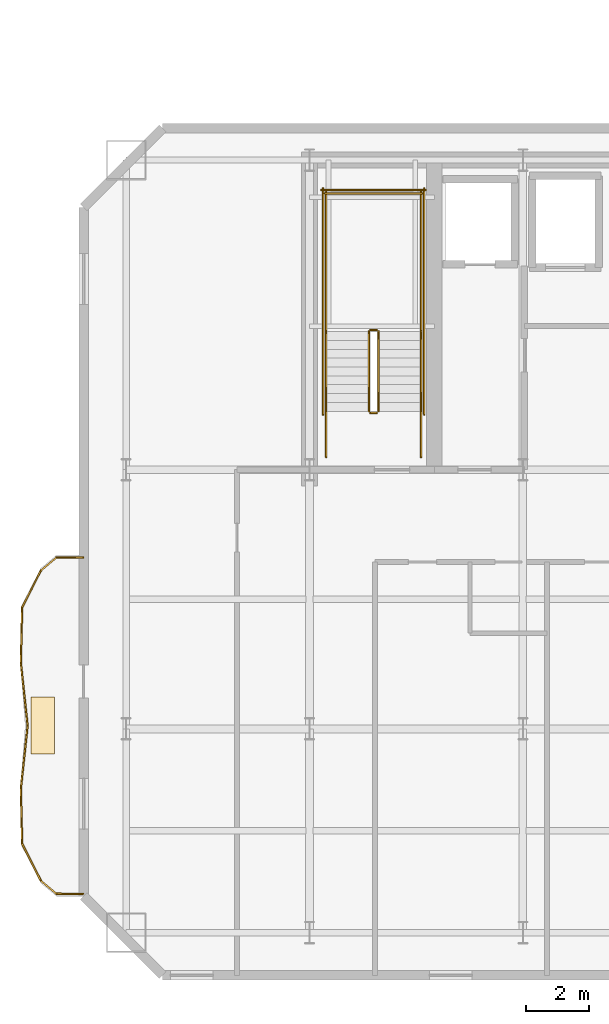
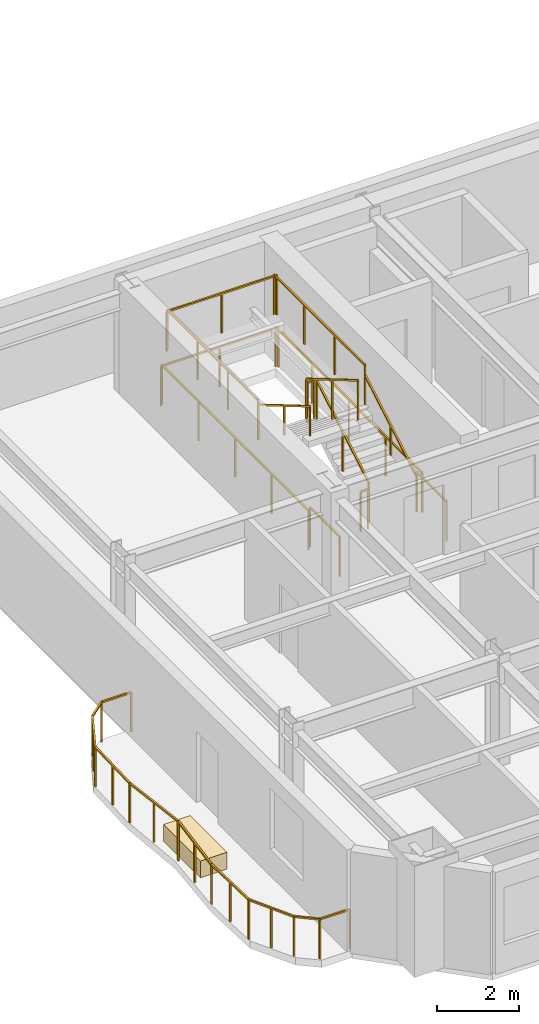
# One storey, part 10 of 13: 24 railings, 1 covering.
"""IFC4 building model written with IfcOpenShell, lengths in metres."""

from ifc_helpers import new_model, si_unit, direction, frame, origin, origin_2d, place, context, subcontext, project, spatial, rectangle, extrude, material, layer, layer_set, type_object, element, save


model = new_model("IFC4")

# Units and contexts
model_context = context("Model", 3, precision=1e-05, world=origin(), true_north=direction((0.0, 1.0)))
body_context = subcontext(model_context, "Body", "Model", "MODEL_VIEW")
ifc_project = project(units=[si_unit("LENGTHUNIT", "METRE"), si_unit("AREAUNIT", "SQUARE_METRE"), si_unit("VOLUMEUNIT", "CUBIC_METRE"), si_unit("PLANEANGLEUNIT", "RADIAN"), si_unit("MASSUNIT", "GRAM", prefix="KILO")], contexts=[model_context])

# Site, building, storey
site_placement = place(None, origin())
site = spatial("IfcSite", under=ifc_project, at=site_placement, CompositionType="ELEMENT")
building_placement = place(site_placement, origin())
building = spatial("IfcBuilding", under=site, at=building_placement, Name="Haevon Station Towers", CompositionType="ELEMENT")
storey_placement = place(building_placement, frame((0.0, 0.0, 182.39990234375)))
storey = spatial("IfcBuildingStorey", under=building, at=storey_placement, Name="L50", CompositionType="ELEMENT", Elevation=182.39990234375)

# Railings
ifc_material_1 = material(Name="Steel S355", Category="steel")
railing_type_1 = type_object("IfcRailingType", Name="GRD-EXT1200", PredefinedType="GUARDRAIL", material=ifc_material_1)
railing_1_placement = place(storey_placement, frame((16.826416015625, 35.422119140625, 0.0)))
element("IfcRailing", 1, at=railing_1_placement, inside=storey, type_object=railing_type_1, Name="L50 Perimeter Guardrail 1", PredefinedType="GUARDRAIL", context=body_context, shape_type="SweptSolid", body=[
    extrude(rectangle(XDim=0.048095703125, YDim=0.048095703125, at=origin_2d()), frame((0.0, 0.0, 1.17578125), z_axis=(-0.999997283225, -0.002330995998, 0.0), x_axis=(0.002330995998, -0.999997283225, 0.0)), (0.0, 0.0, 1.0), 0.837890625),
    extrude(rectangle(XDim=0.0419921875, YDim=0.0419921875, at=origin_2d()), origin(), (0.0, 0.0, 1.0), 1.15185546875),
    extrude(rectangle(XDim=0.0419921875, YDim=0.0419921875, at=origin_2d()), frame((-0.837890625, -0.001953125, 0.0)), (0.0, 0.0, 1.0), 1.15185546875),
])
railing_2_placement = place(storey_placement, frame((15.988525390625, 35.420166015625, 0.0)))
element("IfcRailing", 2, at=railing_2_placement, inside=storey, type_object=railing_type_1, Name="L50 Perimeter Guardrail 2", PredefinedType="GUARDRAIL", context=body_context, shape_type="SweptSolid", body=[
    extrude(rectangle(XDim=0.048095703125, YDim=0.048095703125, at=origin_2d()), frame((0.0, 0.0, 1.17578125), z_axis=(-0.766530628822, -0.642207750715, 0.0), x_axis=(0.642207750715, -0.766530628822, 0.0)), (0.0, 0.0, 1.0), 0.64013671875),
    extrude(rectangle(XDim=0.0419921875, YDim=0.0419921875, at=origin_2d()), origin(), (0.0, 0.0, 1.0), 1.15185546875),
    extrude(rectangle(XDim=0.0419921875, YDim=0.0419921875, at=origin_2d()), frame((-0.49072265625, -0.4111328125, 0.0)), (0.0, 0.0, 1.0), 1.15185546875),
])
railing_3_placement = place(storey_placement, frame((15.497802734375, 35.009033203125, 0.0)))
element("IfcRailing", 3, at=railing_3_placement, inside=storey, type_object=railing_type_1, Name="L50 Perimeter Guardrail 3", PredefinedType="GUARDRAIL", context=body_context, shape_type="SweptSolid", body=[
    extrude(rectangle(XDim=0.048095703125, YDim=0.048095703125, at=origin_2d()), frame((0.0, 0.0, 1.17578125), z_axis=(-0.452270967259, -0.89188058179, 0.0), x_axis=(0.89188058179, -0.452270967259, 0.0)), (0.0, 0.0, 1.0), 1.311279296875),
    extrude(rectangle(XDim=0.0419921875, YDim=0.0419921875, at=origin_2d()), origin(), (0.0, 0.0, 1.0), 1.15185546875),
    extrude(rectangle(XDim=0.0419921875, YDim=0.0419921875, at=origin_2d()), frame((-0.29638671875, -0.584716796875, 0.0)), (0.0, 0.0, 1.0), 1.15185546875),
    extrude(rectangle(XDim=0.0419921875, YDim=0.0419921875, at=origin_2d()), frame((-0.593017578125, -1.16943359375, 0.0)), (0.0, 0.0, 1.0), 1.15185546875),
])
railing_4_placement = place(storey_placement, frame((14.90478515625, 33.839599609375, 0.0)))
element("IfcRailing", 4, at=railing_4_placement, inside=storey, type_object=railing_type_1, Name="L50 Perimeter Guardrail 4", PredefinedType="GUARDRAIL", context=body_context, shape_type="SweptSolid", body=[
    extrude(rectangle(XDim=0.048095703125, YDim=0.048095703125, at=origin_2d()), frame((0.0, 0.0, 1.17578125), z_axis=(-0.023307920103, -0.999728333529, 0.0), x_axis=(0.999728333529, -0.023307920103, 0.0)), (0.0, 0.0, 1.0), 1.749267578125),
    extrude(rectangle(XDim=0.0419921875, YDim=0.0419921875, at=origin_2d()), origin(), (0.0, 0.0, 1.0), 1.15185546875),
    extrude(rectangle(XDim=0.0419921875, YDim=0.0419921875, at=origin_2d()), frame((-0.0205078125, -0.87451171875, 0.0)), (0.0, 0.0, 1.0), 1.15185546875),
    extrude(rectangle(XDim=0.0419921875, YDim=0.0419921875, at=origin_2d()), frame((-0.040771484375, -1.748779296875, 0.0)), (0.0, 0.0, 1.0), 1.15185546875),
])
railing_5_placement = place(storey_placement, frame((14.864013671875, 32.0908203125, 0.0)))
element("IfcRailing", 5, at=railing_5_placement, inside=storey, type_object=railing_type_1, Name="L50 Perimeter Guardrail 5", PredefinedType="GUARDRAIL", context=body_context, shape_type="SweptSolid", body=[
    extrude(rectangle(XDim=0.048095703125, YDim=0.048095703125, at=origin_2d()), frame((0.0, 0.0, 1.17578125), z_axis=(0.107299428621, -0.994226751107, 0.0), x_axis=(0.994226751107, 0.107299428621, 0.0)), (0.0, 0.0, 1.0), 2.002197265625),
    extrude(rectangle(XDim=0.0419921875, YDim=0.0419921875, at=origin_2d()), origin(), (0.0, 0.0, 1.0), 1.15185546875),
    extrude(rectangle(XDim=0.0419921875, YDim=0.0419921875, at=origin_2d()), frame((0.107421875, -0.995361328125, 0.0)), (0.0, 0.0, 1.0), 1.15185546875),
    extrude(rectangle(XDim=0.0419921875, YDim=0.0419921875, at=origin_2d()), frame((0.21484375, -1.99072265625, 0.0)), (0.0, 0.0, 1.0), 1.15185546875),
])
railing_6_placement = place(storey_placement, frame((15.078857421875, 30.10009765625, 0.0)))
element("IfcRailing", 6, at=railing_6_placement, inside=storey, type_object=railing_type_1, Name="L50 Perimeter Guardrail 6", PredefinedType="GUARDRAIL", context=body_context, shape_type="SweptSolid", body=[
    extrude(rectangle(XDim=0.048095703125, YDim=0.048095703125, at=origin_2d()), frame((0.0, 0.0, 1.17578125), z_axis=(-0.107286422576, -0.994228154666, 0.0), x_axis=(0.994228154666, -0.107286422576, 0.0)), (0.0, 0.0, 1.0), 2.00244140625),
    extrude(rectangle(XDim=0.0419921875, YDim=0.0419921875, at=origin_2d()), origin(), (0.0, 0.0, 1.0), 1.15185546875),
    extrude(rectangle(XDim=0.0419921875, YDim=0.0419921875, at=origin_2d()), frame((-0.107421875, -0.99560546875, 0.0)), (0.0, 0.0, 1.0), 1.15185546875),
    extrude(rectangle(XDim=0.0419921875, YDim=0.0419921875, at=origin_2d()), frame((-0.21484375, -1.990966796875, 0.0)), (0.0, 0.0, 1.0), 1.15185546875),
])
railing_7_placement = place(storey_placement, frame((14.864013671875, 28.109130859375, 0.0)))
element("IfcRailing", 7, at=railing_7_placement, inside=storey, type_object=railing_type_1, Name="L50 Perimeter Guardrail 7", PredefinedType="GUARDRAIL", context=body_context, shape_type="SweptSolid", body=[
    extrude(rectangle(XDim=0.048095703125, YDim=0.048095703125, at=origin_2d()), frame((0.0, 0.0, 1.17578125), z_axis=(0.023307920103, -0.999728333529, 0.0), x_axis=(0.999728333529, 0.023307920103, 0.0)), (0.0, 0.0, 1.0), 1.749267578125),
    extrude(rectangle(XDim=0.0419921875, YDim=0.0419921875, at=origin_2d()), origin(), (0.0, 0.0, 1.0), 1.15185546875),
    extrude(rectangle(XDim=0.0419921875, YDim=0.0419921875, at=origin_2d()), frame((0.0205078125, -0.87451171875, 0.0)), (0.0, 0.0, 1.0), 1.15185546875),
    extrude(rectangle(XDim=0.0419921875, YDim=0.0419921875, at=origin_2d()), frame((0.040771484375, -1.748779296875, 0.0)), (0.0, 0.0, 1.0), 1.15185546875),
])
railing_8_placement = place(storey_placement, frame((14.90478515625, 26.3603515625, 0.0)))
element("IfcRailing", 8, at=railing_8_placement, inside=storey, type_object=railing_type_1, Name="L50 Perimeter Guardrail 8", PredefinedType="GUARDRAIL", context=body_context, shape_type="SweptSolid", body=[
    extrude(rectangle(XDim=0.048095703125, YDim=0.048095703125, at=origin_2d()), frame((0.0, 0.0, 1.17578125), z_axis=(0.452346084471, -0.891842486016, 0.0), x_axis=(0.891842486016, 0.452346084471, 0.0)), (0.0, 0.0, 1.0), 1.31103515625),
    extrude(rectangle(XDim=0.0419921875, YDim=0.0419921875, at=origin_2d()), origin(), (0.0, 0.0, 1.0), 1.15185546875),
    extrude(rectangle(XDim=0.0419921875, YDim=0.0419921875, at=origin_2d()), frame((0.29638671875, -0.58447265625, 0.0)), (0.0, 0.0, 1.0), 1.15185546875),
    extrude(rectangle(XDim=0.0419921875, YDim=0.0419921875, at=origin_2d()), frame((0.593017578125, -1.169189453125, 0.0)), (0.0, 0.0, 1.0), 1.15185546875),
])
railing_9_placement = place(storey_placement, frame((15.497802734375, 25.191162109375, 0.0)))
element("IfcRailing", 9, at=railing_9_placement, inside=storey, type_object=railing_type_1, Name="L50 Perimeter Guardrail 9", PredefinedType="GUARDRAIL", context=body_context, shape_type="SweptSolid", body=[
    extrude(rectangle(XDim=0.048095703125, YDim=0.048095703125, at=origin_2d()), frame((0.0, 0.0, 1.17578125), z_axis=(0.766342909973, -0.642431742938, 0.0), x_axis=(0.642431742938, 0.766342909973, 0.0)), (0.0, 0.0, 1.0), 0.640380859375),
    extrude(rectangle(XDim=0.0419921875, YDim=0.0419921875, at=origin_2d()), origin(), (0.0, 0.0, 1.0), 1.15185546875),
    extrude(rectangle(XDim=0.0419921875, YDim=0.0419921875, at=origin_2d()), frame((0.49072265625, -0.411376953125, 0.0)), (0.0, 0.0, 1.0), 1.15185546875),
])
railing_10_placement = place(storey_placement, frame((15.988525390625, 24.77978515625, 0.0)))
element("IfcRailing", 10, at=railing_10_placement, inside=storey, type_object=railing_type_1, Name="L50 Perimeter Guardrail 10", PredefinedType="GUARDRAIL", context=body_context, shape_type="SweptSolid", body=[
    extrude(rectangle(XDim=0.048095703125, YDim=0.048095703125, at=origin_2d()), frame((0.0, 0.0, 1.17578125), z_axis=(0.999997283225, -0.002330995998, 0.0), x_axis=(0.002330995998, 0.999997283225, 0.0)), (0.0, 0.0, 1.0), 0.837890625),
    extrude(rectangle(XDim=0.0419921875, YDim=0.0419921875, at=origin_2d()), origin(), (0.0, 0.0, 1.0), 1.15185546875),
    extrude(rectangle(XDim=0.0419921875, YDim=0.0419921875, at=origin_2d()), frame((0.837890625, -0.001953125, 0.0)), (0.0, 0.0, 1.0), 1.15185546875),
])
railing_type_2 = type_object("IfcRailingType", Name="GRD-STR1200", PredefinedType="GUARDRAIL", material=ifc_material_1)
railing_11_placement = place(storey_placement, frame((26.179931640625, 40.050048828125, 0.1650390625)))
element("IfcRailing", 11, at=railing_11_placement, inside=storey, type_object=railing_type_2, Name="L50 ST1 Stair Guard 1", PredefinedType="GUARDRAIL", context=body_context, shape_type="SweptSolid", body=[
    extrude(rectangle(XDim=0.048095703125, YDim=0.048095703125, at=origin_2d()), frame((0.0, 0.0, 1.17578125), z_axis=(0.0, 0.86152411907, 0.507716645641), x_axis=(-1.0, 0.0, 0.0)), (0.0, 0.0, 1.0), 2.925048828125),
    extrude(rectangle(XDim=0.0419921875, YDim=0.0419921875, at=origin_2d()), origin(), (0.0, 0.0, 1.0), 1.15185546875),
    extrude(rectangle(XDim=0.0419921875, YDim=0.0419921875, at=origin_2d()), frame((0.0, 1.260009765625, 0.74267578125)), (0.0, 0.0, 1.0), 1.15185546875),
    extrude(rectangle(XDim=0.0419921875, YDim=0.0419921875, at=origin_2d()), frame((0.0, 2.52001953125, 1.485107421875)), (0.0, 0.0, 1.0), 1.15185546875),
])
railing_12_placement = place(storey_placement, frame((26.1298828125, 42.6201171875, 1.650146484375)))
element("IfcRailing", 12, at=railing_12_placement, inside=storey, type_object=railing_type_2, Name="L50 ST1 Stair Guard 2", PredefinedType="GUARDRAIL", context=body_context, shape_type="SweptSolid", body=[
    extrude(rectangle(XDim=0.048095703125, YDim=0.048095703125, at=origin_2d()), frame((0.0, 0.0, 1.17578125), z_axis=(-1.0, 0.0, 0.0), x_axis=(0.0, -1.0, 0.0)), (0.0, 0.0, 1.0), 0.199951171875),
    extrude(rectangle(XDim=0.0419921875, YDim=0.0419921875, at=origin_2d()), origin(), (0.0, 0.0, 1.0), 1.15185546875),
    extrude(rectangle(XDim=0.0419921875, YDim=0.0419921875, at=origin_2d()), frame((-0.199951171875, 0.0, 0.0)), (0.0, 0.0, 1.0), 1.15185546875),
])
for number, where, name in (
    (13, (27.530029296875, 42.570068359375, 1.650146484375), "L50 ST1 Stair Guard 3"),
    (14, (24.530029296875, 42.570068359375, 1.650146484375), "L50 ST1 Stair Guard 4"),
):
    element("IfcRailing", number, at=place(storey_placement, frame(where)), inside=storey, type_object=railing_type_2, Name=name, PredefinedType="GUARDRAIL", context=body_context, shape_type="SweptSolid", body=[
        extrude(rectangle(XDim=0.048095703125, YDim=0.048095703125, at=origin_2d()), frame((0.0, 0.0, 1.17578125), z_axis=(0.0, 1.0, 0.0), x_axis=(-1.0, 0.0, 0.0)), (0.0, 0.0, 1.0), 4.429931640625),
        extrude(rectangle(XDim=0.0419921875, YDim=0.0419921875, at=origin_2d()), origin(), (0.0, 0.0, 1.0), 1.15185546875),
        extrude(rectangle(XDim=0.0419921875, YDim=0.0419921875, at=origin_2d()), frame((0.0, 1.4765625, 0.0)), (0.0, 0.0, 1.0), 1.15185546875),
        extrude(rectangle(XDim=0.0419921875, YDim=0.0419921875, at=origin_2d()), frame((0.0, 2.953369140625, 0.0)), (0.0, 0.0, 1.0), 1.15185546875),
        extrude(rectangle(XDim=0.0419921875, YDim=0.0419921875, at=origin_2d()), frame((0.0, 4.429931640625, 0.0)), (0.0, 0.0, 1.0), 1.15185546875),
    ])
railing_13_placement = place(storey_placement, frame((27.580078125, 46.949951171875, 1.650146484375)))
element("IfcRailing", 15, at=railing_13_placement, inside=storey, type_object=railing_type_2, Name="L50 ST1 Stair Guard 5", PredefinedType="GUARDRAIL", context=body_context, shape_type="SweptSolid", body=[
    extrude(rectangle(XDim=0.048095703125, YDim=0.048095703125, at=origin_2d()), frame((0.0, 0.0, 1.17578125), z_axis=(-1.0, 0.0, 0.0), x_axis=(0.0, -1.0, 0.0)), (0.0, 0.0, 1.0), 3.10009765625),
    extrude(rectangle(XDim=0.0419921875, YDim=0.0419921875, at=origin_2d()), origin(), (0.0, 0.0, 1.0), 1.15185546875),
    extrude(rectangle(XDim=0.0419921875, YDim=0.0419921875, at=origin_2d()), frame((-1.550048828125, 0.0, 0.0)), (0.0, 0.0, 1.0), 1.15185546875),
    extrude(rectangle(XDim=0.0419921875, YDim=0.0419921875, at=origin_2d()), frame((-3.10009765625, 0.0, 0.0)), (0.0, 0.0, 1.0), 1.15185546875),
])
railing_14_placement = place(storey_placement, frame((25.8798828125, 42.570068359375, 1.815185546875)))
element("IfcRailing", 16, at=railing_14_placement, inside=storey, type_object=railing_type_2, Name="L50 ST1 Stair Guard 6", PredefinedType="GUARDRAIL", context=body_context, shape_type="SweptSolid", body=[
    extrude(rectangle(XDim=0.048095703125, YDim=0.048095703125, at=origin_2d()), frame((0.0, 0.0, 1.17578125), z_axis=(0.0, -0.861560626758, 0.507654692109), x_axis=(1.0, 0.0, 0.0)), (0.0, 0.0, 1.0), 2.925048828125),
    extrude(rectangle(XDim=0.0419921875, YDim=0.0419921875, at=origin_2d()), origin(), (0.0, 0.0, 1.0), 1.15185546875),
    extrude(rectangle(XDim=0.0419921875, YDim=0.0419921875, at=origin_2d()), frame((0.0, -1.260009765625, 0.742431640625)), (0.0, 0.0, 1.0), 1.15185546875),
    extrude(rectangle(XDim=0.0419921875, YDim=0.0419921875, at=origin_2d()), frame((0.0, -2.52001953125, 1.48486328125)), (0.0, 0.0, 1.0), 1.15185546875),
])
railing_15_placement = place(storey_placement, frame((26.1298828125, 40.0, 0.0)))
element("IfcRailing", 17, at=railing_15_placement, inside=storey, type_object=railing_type_2, Name="L50 ST1 Stair Guard 7", PredefinedType="GUARDRAIL", context=body_context, shape_type="SweptSolid", body=[
    extrude(rectangle(XDim=0.048095703125, YDim=0.048095703125, at=origin_2d()), frame((0.0, 0.0, 1.17578125), z_axis=(-1.0, 0.0, 0.0), x_axis=(0.0, -1.0, 0.0)), (0.0, 0.0, 1.0), 0.199951171875),
    extrude(rectangle(XDim=0.0419921875, YDim=0.0419921875, at=origin_2d()), origin(), (0.0, 0.0, 1.0), 1.15185546875),
    extrude(rectangle(XDim=0.0419921875, YDim=0.0419921875, at=origin_2d()), frame((-0.199951171875, 0.0, 0.0)), (0.0, 0.0, 1.0), 1.15185546875),
])
for number, where, name in (
    (18, (27.530029296875, 38.60009765625, 0.0), "L50 ST1 Stair Guard 8"),
    (19, (24.530029296875, 38.60009765625, 0.0), "L50 ST1 Stair Guard 9"),
):
    element("IfcRailing", number, at=place(storey_placement, frame(where)), inside=storey, type_object=railing_type_2, Name=name, PredefinedType="GUARDRAIL", context=body_context, shape_type="SweptSolid", body=[
        extrude(rectangle(XDim=0.048095703125, YDim=0.048095703125, at=origin_2d()), frame((0.0, 0.0, 1.17578125), z_axis=(0.0, 1.0, 0.0), x_axis=(-1.0, 0.0, 0.0)), (0.0, 0.0, 1.0), 1.449951171875),
        extrude(rectangle(XDim=0.0419921875, YDim=0.0419921875, at=origin_2d()), origin(), (0.0, 0.0, 1.0), 1.15185546875),
        extrude(rectangle(XDim=0.0419921875, YDim=0.0419921875, at=origin_2d()), frame((0.0, 1.449951171875, 0.0)), (0.0, 0.0, 1.0), 1.15185546875),
    ])
for number, where, name in (
    (20, (27.6298828125, 39.949951171875, 0.0), "L50 ST1 Stair Guard 10"),
    (21, (24.429931640625, 39.949951171875, 0.0), "L50 ST1 Stair Guard 11"),
):
    element("IfcRailing", number, at=place(storey_placement, frame(where)), inside=storey, type_object=railing_type_2, Name=name, PredefinedType="GUARDRAIL", context=body_context, shape_type="SweptSolid", body=[
        extrude(rectangle(XDim=0.048095703125, YDim=0.048095703125, at=origin_2d()), frame((0.0, 0.0, 1.17578125), z_axis=(0.0, 1.0, 0.0), x_axis=(-1.0, 0.0, 0.0)), (0.0, 0.0, 1.0), 7.150146484375),
        extrude(rectangle(XDim=0.0419921875, YDim=0.0419921875, at=origin_2d()), origin(), (0.0, 0.0, 1.0), 1.15185546875),
        extrude(rectangle(XDim=0.0419921875, YDim=0.0419921875, at=origin_2d()), frame((0.0, 1.78759765625, 0.0)), (0.0, 0.0, 1.0), 1.15185546875),
        extrude(rectangle(XDim=0.0419921875, YDim=0.0419921875, at=origin_2d()), frame((0.0, 3.5751953125, 0.0)), (0.0, 0.0, 1.0), 1.15185546875),
        extrude(rectangle(XDim=0.0419921875, YDim=0.0419921875, at=origin_2d()), frame((0.0, 5.362548828125, 0.0)), (0.0, 0.0, 1.0), 1.15185546875),
        extrude(rectangle(XDim=0.0419921875, YDim=0.0419921875, at=origin_2d()), frame((0.0, 7.150146484375, 0.0)), (0.0, 0.0, 1.0), 1.15185546875),
    ])
railing_16_placement = place(storey_placement, frame((27.679931640625, 47.050048828125, 0.0)))
element("IfcRailing", 22, at=railing_16_placement, inside=storey, type_object=railing_type_2, Name="L50 ST1 Stair Guard 12", PredefinedType="GUARDRAIL", context=body_context, shape_type="SweptSolid", body=[
    extrude(rectangle(XDim=0.048095703125, YDim=0.048095703125, at=origin_2d()), frame((0.0, 0.0, 1.17578125), z_axis=(-1.0, 0.0, 0.0), x_axis=(0.0, -1.0, 0.0)), (0.0, 0.0, 1.0), 3.300048828125),
    extrude(rectangle(XDim=0.0419921875, YDim=0.0419921875, at=origin_2d()), origin(), (0.0, 0.0, 1.0), 1.15185546875),
    extrude(rectangle(XDim=0.0419921875, YDim=0.0419921875, at=origin_2d()), frame((-1.64990234375, 0.0, 0.0)), (0.0, 0.0, 1.0), 1.15185546875),
    extrude(rectangle(XDim=0.0419921875, YDim=0.0419921875, at=origin_2d()), frame((-3.300048828125, 0.0, 0.0)), (0.0, 0.0, 1.0), 1.15185546875),
])
railing_type_3 = type_object("IfcRailingType", Name="HND-STR900", PredefinedType="HANDRAIL", material=ifc_material_1)
railing_17_placement = place(storey_placement, frame((27.530029296875, 40.050048828125, 0.1650390625)))
element("IfcRailing", 23, at=railing_17_placement, inside=storey, type_object=railing_type_3, Name="L50 ST1 Stair Handrail 1", PredefinedType="HANDRAIL", context=body_context, shape_type="SweptSolid", body=[
    extrude(rectangle(XDim=0.048095703125, YDim=0.048095703125, at=origin_2d()), frame((0.0, 0.0, 0.8759765625), z_axis=(0.0, 0.86152411907, 0.507716645641), x_axis=(-1.0, 0.0, 0.0)), (0.0, 0.0, 1.0), 2.925048828125),
    extrude(rectangle(XDim=0.0419921875, YDim=0.0419921875, at=origin_2d()), origin(), (0.0, 0.0, 1.0), 0.851806640625),
    extrude(rectangle(XDim=0.0419921875, YDim=0.0419921875, at=origin_2d()), frame((0.0, 1.260009765625, 0.74267578125)), (0.0, 0.0, 1.0), 0.851806640625),
    extrude(rectangle(XDim=0.0419921875, YDim=0.0419921875, at=origin_2d()), frame((0.0, 2.52001953125, 1.485107421875)), (0.0, 0.0, 1.0), 0.851806640625),
])
railing_18_placement = place(storey_placement, frame((24.530029296875, 42.570068359375, 1.815185546875)))
element("IfcRailing", 24, at=railing_18_placement, inside=storey, type_object=railing_type_3, Name="L50 ST1 Stair Handrail 2", PredefinedType="HANDRAIL", context=body_context, shape_type="SweptSolid", body=[
    extrude(rectangle(XDim=0.048095703125, YDim=0.048095703125, at=origin_2d()), frame((0.0, 0.0, 0.8759765625), z_axis=(0.0, -0.861560626758, 0.507654692109), x_axis=(1.0, 0.0, 0.0)), (0.0, 0.0, 1.0), 2.925048828125),
    extrude(rectangle(XDim=0.0419921875, YDim=0.0419921875, at=origin_2d()), origin(), (0.0, 0.0, 1.0), 0.851806640625),
    extrude(rectangle(XDim=0.0419921875, YDim=0.0419921875, at=origin_2d()), frame((0.0, -1.260009765625, 0.742431640625)), (0.0, 0.0, 1.0), 0.851806640625),
    extrude(rectangle(XDim=0.0419921875, YDim=0.0419921875, at=origin_2d()), frame((0.0, -2.52001953125, 1.48486328125)), (0.0, 0.0, 1.0), 0.851806640625),
])

# Covering
ifc_material_2 = material(Name="Architectural planter GRC", Category="concrete")
ifc_layer = layer(ifc_material_2, 0.550048828125)
ifc_layer_set = layer_set([ifc_layer], Name="Architectural planter GRC")
covering_type = type_object("IfcCoveringType", Name="PLN-GRC550", PredefinedType="MOLDING", material=ifc_layer_set)
covering_placement = place(storey_placement, frame((15.557373046875, 30.10009765625, 0.0), z_axis=(0.0, 0.0, 1.0), x_axis=(1.0, 0.0, 0.0)))
element("IfcCovering", 25, at=covering_placement, inside=storey, type_object=covering_type, Name="Tower 1 L50 Scalloped Balcony PLANTER", PredefinedType="MOLDING", context=body_context, shape_type="SweptSolid", body=[
    extrude(rectangle(XDim=0.75, YDim=1.800048828125, at=origin_2d()), origin(), (0.0, 0.0, 1.0), 0.5),
])

save(model, "model.ifc")
